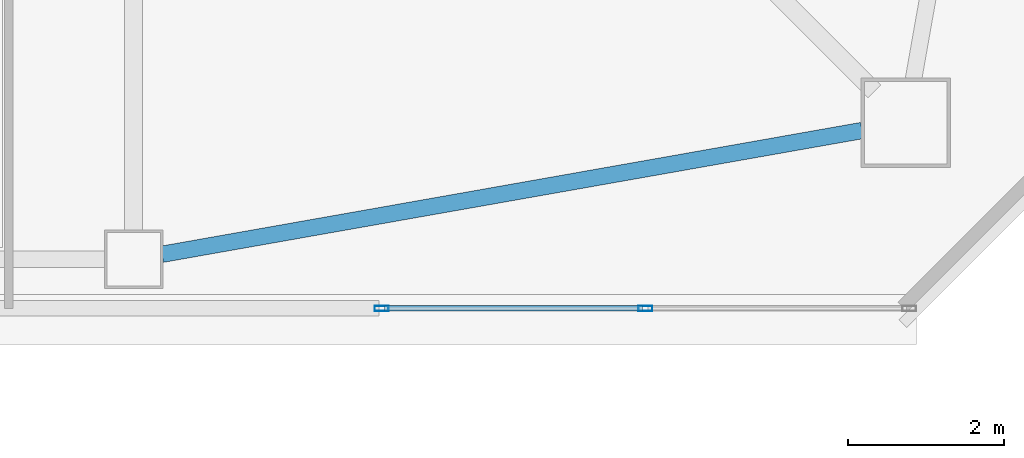
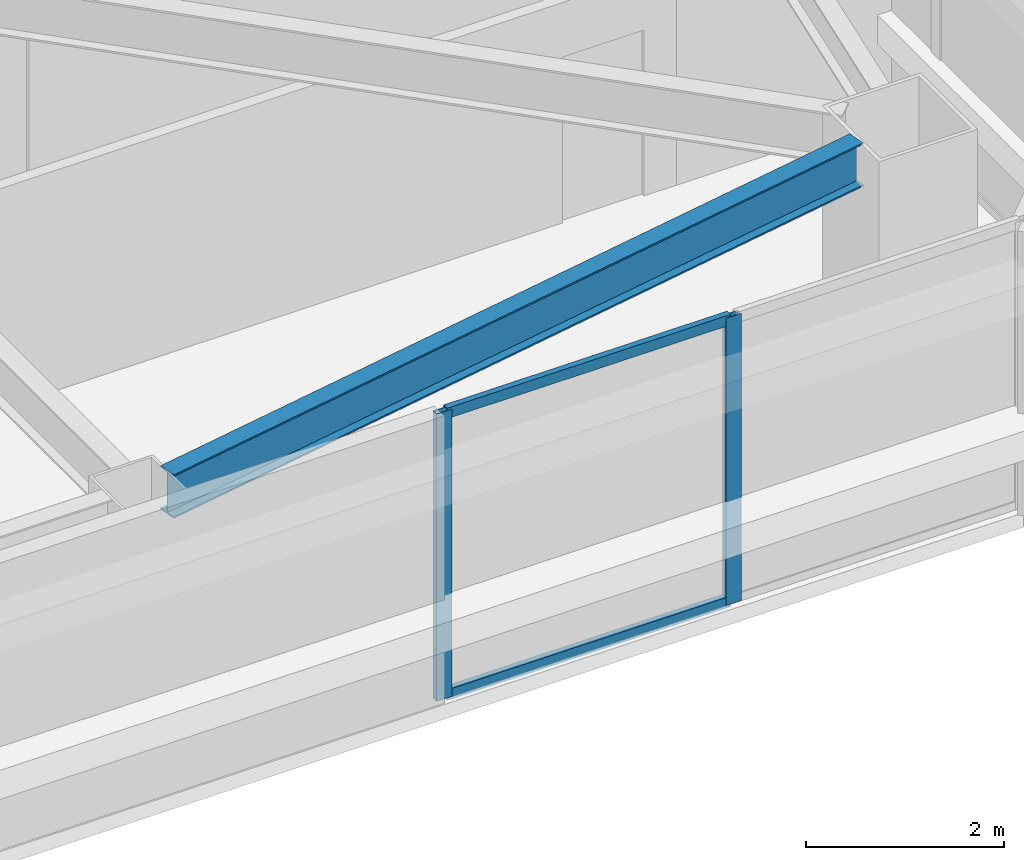
# One storey, part 6 of 43: 4 members, 1 beam, 1 element without a shape of its own.
"""IFC4 building model written with IfcOpenShell, lengths in metres."""

from ifc_helpers import new_model, si_unit, direction, frame, origin, origin_2d, place, context, subcontext, project, spatial, hollow_rectangle, i_section, extrude, material, material_profile, profile_set, type_object, element, aggregate, save


model = new_model("IFC4")

# Units and contexts
model_context = context("Model", 3, precision=1e-05, world=origin(), true_north=direction((0.0, 1.0)))
body_context = subcontext(model_context, "Body", "Model", "MODEL_VIEW")
ifc_project = project(units=[si_unit("LENGTHUNIT", "METRE"), si_unit("AREAUNIT", "SQUARE_METRE"), si_unit("VOLUMEUNIT", "CUBIC_METRE"), si_unit("PLANEANGLEUNIT", "RADIAN"), si_unit("MASSUNIT", "GRAM", prefix="KILO")], contexts=[model_context])

# Site, building, storey
site_placement = place(None, origin())
site = spatial("IfcSite", under=ifc_project, at=site_placement, CompositionType="ELEMENT")
building_placement = place(site_placement, origin())
building = spatial("IfcBuilding", under=site, at=building_placement, Name="Tashvorn Skyway Center", CompositionType="ELEMENT")
storey_placement = place(building_placement, frame((0.0, 0.0, 185.39990234375)))
storey = spatial("IfcBuildingStorey", under=building, at=storey_placement, Name="L50", CompositionType="ELEMENT", Elevation=185.39990234375)

# Beam
ifc_material_1 = material(Name="Steel ASTM A992 Grade 50", Category="steel")
ifc_material_profile_1 = material_profile(ifc_material_1, i_section(OverallWidth=0.2109375, OverallDepth=0.5390625, WebThickness=0.01171875, FlangeThickness=0.018798828125, at=origin_2d()), Name="W21X73")
ifc_profile_set_1 = profile_set([ifc_material_profile_1], Name="Steel ASTM A992 Grade 50")
beam_type = type_object("IfcBeamType", Name="BM-SPANDREL-W21X73", PredefinedType="SPANDREL", material=ifc_profile_set_1)
beam_placement = place(storey_placement, frame((47.764404296875, 15.014404296875, 3.1005859375), z_axis=(0.984732545667, 0.174074160933, 0.0), x_axis=(-0.174074160933, 0.984732545667, 0.0)))
element("IfcBeam", 1, at=beam_placement, inside=storey, type_object=beam_type, Name="Tower 1 L50 Spandrel Beam 03", PredefinedType="SPANDREL", context=body_context, shape_type="SweptSolid", body=[
    extrude(i_section(OverallWidth=0.2109375, OverallDepth=0.5390625, WebThickness=0.01171875, FlangeThickness=0.018798828125, at=origin_2d()), origin(), (0.0, 0.0, 1.0), 9.113525390625),
])

# Curtain wall, members
ifc_material_2 = material(Name="Thermally broken bronze-anodized aluminium 6063-T6", Category="aluminium")
curtain_wall_type = type_object("IfcCurtainWallType", Name="CW-CW-Z4", PredefinedType="NOTDEFINED", material=ifc_material_2)
curtain_wall_placement = place(storey_placement, origin())
curtain_wall = element("IfcCurtainWall", 2, at=curtain_wall_placement, inside=storey, type_object=curtain_wall_type, Name="Tower 1 L50 South Unitised Curtain Wall Glazing Group 1", PredefinedType="NOTDEFINED")
ifc_material_profile_2 = material_profile(ifc_material_2, hollow_rectangle(XDim=0.070068359375, YDim=0.179931640625, WallThickness=0.00390625, at=origin_2d()), Name="ALU-MULL-70x180")
ifc_profile_set_2 = profile_set([ifc_material_profile_2], Name="Thermally broken bronze-anodized aluminium 6063-T6")
member_type_1 = type_object("IfcMemberType", Name="CWM-CW-Z4", PredefinedType="MULLION", material=ifc_profile_set_2)
member_1_placement = place(storey_placement, frame((53.962158203125, 14.320068359375, 0.0), z_axis=(0.0, 0.0, 1.0), x_axis=(0.0, -1.0, 0.0)))
member_1 = element("IfcMember", 3, at=member_1_placement, type_object=member_type_1, Name="CW-Z4 mullion 2", PredefinedType="MULLION", context=body_context, shape_type="SweptSolid", body=[
    extrude(hollow_rectangle(XDim=0.070068359375, YDim=0.179931640625, WallThickness=0.00390625, at=origin_2d()), origin(), (0.0, 0.0, 1.0), 3.550048828125),
])
member_2_placement = place(storey_placement, frame((50.579345703125, 14.320068359375, 0.0), z_axis=(0.0, 0.0, 1.0), x_axis=(0.0, -1.0, 0.0)))
member_2 = element("IfcMember", 4, at=member_2_placement, type_object=member_type_1, Name="CW-Z4 mullion 3", PredefinedType="MULLION", context=body_context, shape_type="SweptSolid", body=[
    extrude(hollow_rectangle(XDim=0.070068359375, YDim=0.179931640625, WallThickness=0.00390625, at=origin_2d()), origin(), (0.0, 0.0, 1.0), 3.550048828125),
])
ifc_material_profile_3 = material_profile(ifc_material_2, hollow_rectangle(XDim=0.070068359375, YDim=0.1298828125, WallThickness=0.00390625, at=origin_2d()), Name="ALU-TRAN-70x130")
ifc_profile_set_3 = profile_set([ifc_material_profile_3], Name="Thermally broken bronze-anodized aluminium 6063-T6")
member_type_2 = type_object("IfcMemberType", Name="CWT-CW-Z4", PredefinedType="USERDEFINED", material=ifc_profile_set_3)
member_3_placement = place(storey_placement, frame((53.92724609375, 14.320068359375, 0.03515625), z_axis=(-1.0, 0.0, 0.0), x_axis=(0.0, -1.0, 0.0)))
member_3 = element("IfcMember", 5, at=member_3_placement, type_object=member_type_2, Name="CW-Z4 transom 2.1", ObjectType="TRANSOM", PredefinedType="USERDEFINED", context=body_context, shape_type="SweptSolid", body=[
    extrude(hollow_rectangle(XDim=0.070068359375, YDim=0.1298828125, WallThickness=0.00390625, at=origin_2d()), origin(), (0.0, 0.0, 1.0), 3.312744140625),
])
member_4_placement = place(storey_placement, frame((53.92724609375, 14.320068359375, 3.51513671875), z_axis=(-1.0, 0.0, 0.0), x_axis=(0.0, -1.0, 0.0)))
member_4 = element("IfcMember", 6, at=member_4_placement, type_object=member_type_2, Name="CW-Z4 transom 2.2", ObjectType="TRANSOM", PredefinedType="USERDEFINED", context=body_context, shape_type="SweptSolid", body=[
    extrude(hollow_rectangle(XDim=0.070068359375, YDim=0.1298828125, WallThickness=0.00390625, at=origin_2d()), origin(), (0.0, 0.0, 1.0), 3.312744140625),
])
aggregate(curtain_wall, [member_1, member_2, member_3, member_4])

save(model, "model.ifc")
